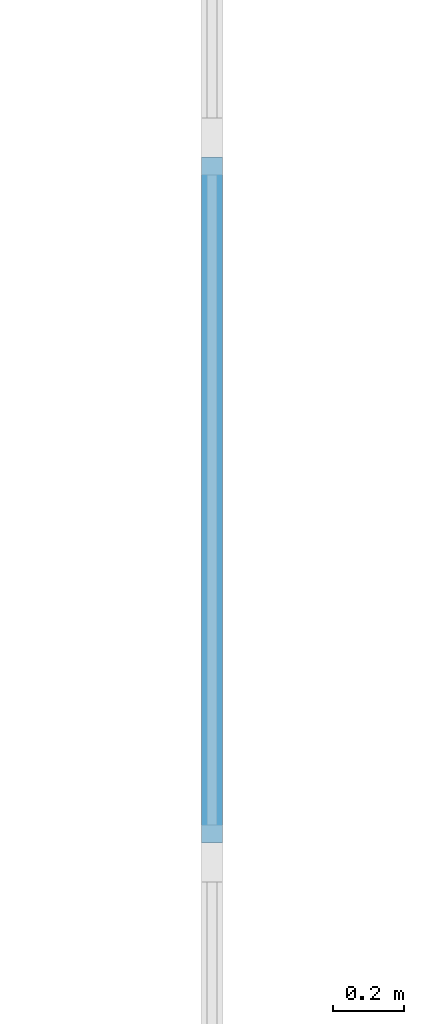
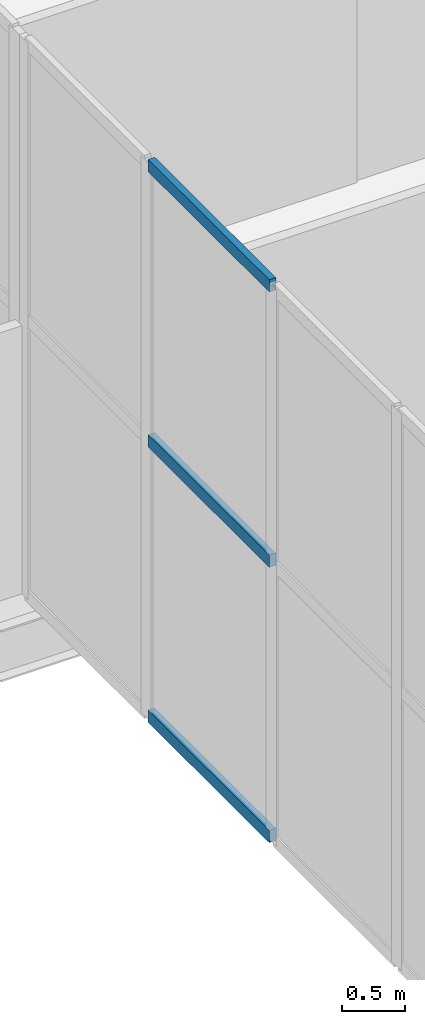
# One storey, part 78 of 170: 3 members, 1 element without a shape of its own.
"""IFC4 building model written with IfcOpenShell, lengths in metres."""

from ifc_helpers import new_model, si_unit, direction, frame, origin, origin_2d, place, context, subcontext, project, spatial, rectangle, extrude, material, layer, layer_set, material_profile, profile_set, type_object, element, aggregate, save


model = new_model("IFC4")

# Units and contexts
model_context = context("Model", 3, precision=1e-05, world=origin(), true_north=direction((0.0, 1.0)))
body_context = subcontext(model_context, "Body", "Model", "MODEL_VIEW")
ifc_project = project(units=[si_unit("LENGTHUNIT", "METRE"), si_unit("AREAUNIT", "SQUARE_METRE"), si_unit("VOLUMEUNIT", "CUBIC_METRE"), si_unit("PLANEANGLEUNIT", "RADIAN"), si_unit("MASSUNIT", "GRAM", prefix="KILO")], contexts=[model_context])

# Site, building, storey
site_placement = place(None, origin())
site = spatial("IfcSite", under=ifc_project, at=site_placement, CompositionType="ELEMENT")
building_placement = place(site_placement, origin())
building = spatial("IfcBuilding", under=site, at=building_placement, Name="Ravi Spectrum Wholesale Market", CompositionType="ELEMENT")
storey_placement = place(building_placement, frame((0.0, 0.0, 5.39990234375)))
storey = spatial("IfcBuildingStorey", under=building, at=storey_placement, Name="L01", CompositionType="ELEMENT", Elevation=5.39990234375)

# Curtain wall, members
ifc_material_1 = material(Name="Aluminium 6063-T6", Category="aluminium")
ifc_layer = layer(ifc_material_1, 0.14990234375)
ifc_layer_set = layer_set([ifc_layer], Name="Aluminium 6063-T6")
curtain_wall_type = type_object("IfcCurtainWallType", Name="Curtain wall 150", PredefinedType="NOTDEFINED", material=ifc_layer_set)
curtain_wall_placement = place(storey_placement, origin())
curtain_wall = element("IfcCurtainWall", 1, at=curtain_wall_placement, inside=storey, type_object=curtain_wall_type, Name="H3-CW-L01-003", PredefinedType="NOTDEFINED")
ifc_material_2 = material(Name="Aluminium 6063-T6", Category="aluminium")
ifc_material_profile = material_profile(ifc_material_2, rectangle(XDim=0.06005859375, YDim=0.1201171875, at=origin_2d()))
ifc_profile_set = profile_set([ifc_material_profile], Name="Aluminium 6063-T6")
member_type = type_object("IfcMemberType", Name="Transom 60 x 120", PredefinedType="USERDEFINED", material=ifc_profile_set)
member_1_placement = place(storey_placement, frame((162.427734375, 170.0166015625, 0.030029296875), z_axis=(0.0, 1.0, 0.0), x_axis=(-1.0, 0.0, 0.0)))
member_1 = element("IfcMember", 2, at=member_1_placement, type_object=member_type, Name="H3-CW-L01-003 transom 5.1", ObjectType="TRANSOM", PredefinedType="USERDEFINED", context=body_context, shape_type="SweptSolid", body=[
    extrude(rectangle(XDim=0.06005859375, YDim=0.1201171875, at=origin_2d()), origin(), (0.0, 0.0, 1.0), 1.9267578125),
])
member_2_placement = place(storey_placement, frame((162.427734375, 170.0166015625, 2.7001953125), z_axis=(0.0, 1.0, 0.0), x_axis=(-1.0, 0.0, 0.0)))
member_2 = element("IfcMember", 3, at=member_2_placement, type_object=member_type, Name="H3-CW-L01-003 transom 5.2", ObjectType="TRANSOM", PredefinedType="USERDEFINED", context=body_context, shape_type="SweptSolid", body=[
    extrude(rectangle(XDim=0.06005859375, YDim=0.1201171875, at=origin_2d()), origin(), (0.0, 0.0, 1.0), 1.9267578125),
])
member_3_placement = place(storey_placement, frame((162.427734375, 170.0166015625, 5.3701171875), z_axis=(0.0, 1.0, 0.0), x_axis=(-1.0, 0.0, 0.0)))
member_3 = element("IfcMember", 4, at=member_3_placement, type_object=member_type, Name="H3-CW-L01-003 transom 5.3", ObjectType="TRANSOM", PredefinedType="USERDEFINED", context=body_context, shape_type="SweptSolid", body=[
    extrude(rectangle(XDim=0.06005859375, YDim=0.1201171875, at=origin_2d()), origin(), (0.0, 0.0, 1.0), 1.9267578125),
])
aggregate(curtain_wall, [member_1, member_2, member_3])

save(model, "model.ifc")
